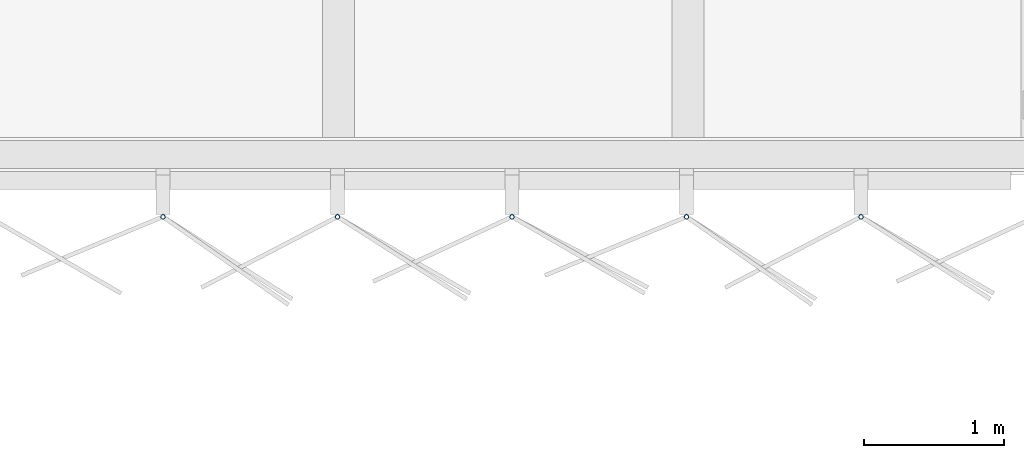
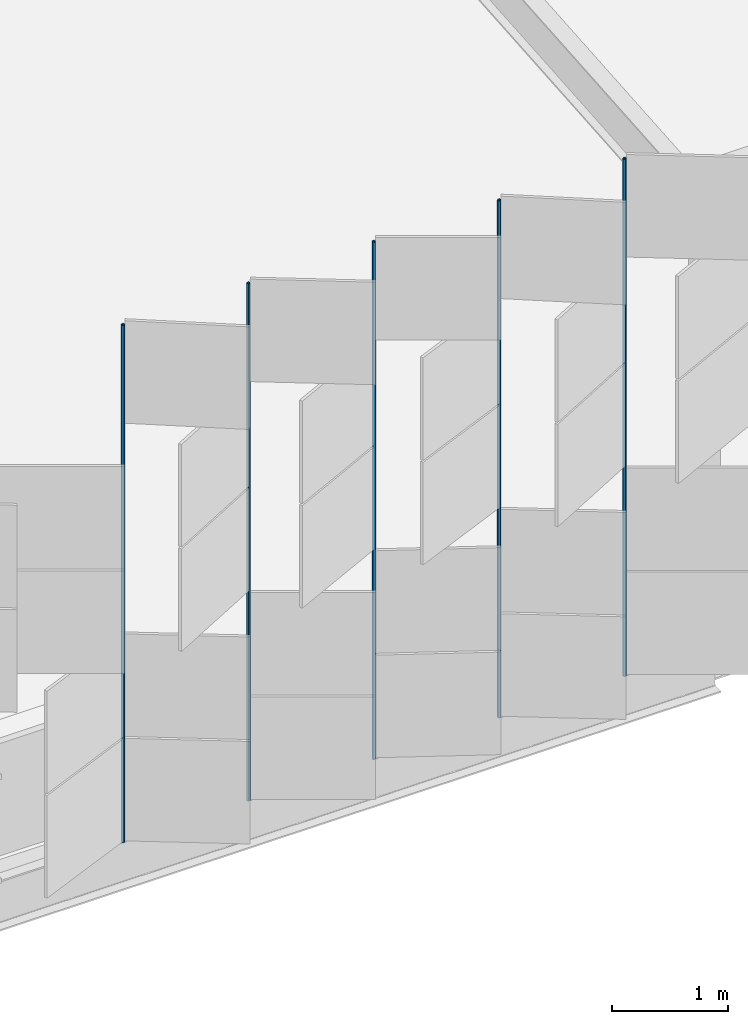
# One storey, part 144 of 483: 5 discrete accessories.
"""IFC4 building model written with IfcOpenShell, lengths in metres."""

from ifc_helpers import new_model, si_unit, direction, frame, origin, origin_2d, place, context, subcontext, project, spatial, hollow_circle, extrude, material, material_profile, profile_set, type_object, element, save


model = new_model("IFC4")

# Units and contexts
model_context = context("Model", 3, precision=1e-05, world=origin(), true_north=direction((0.0, 1.0)))
body_context = subcontext(model_context, "Body", "Model", "MODEL_VIEW")
ifc_project = project(units=[si_unit("LENGTHUNIT", "METRE"), si_unit("AREAUNIT", "SQUARE_METRE"), si_unit("VOLUMEUNIT", "CUBIC_METRE"), si_unit("PLANEANGLEUNIT", "RADIAN"), si_unit("MASSUNIT", "GRAM", prefix="KILO")], contexts=[model_context])

# Site, building, storey
site_placement = place(None, origin())
site = spatial("IfcSite", under=ifc_project, at=site_placement, CompositionType="ELEMENT")
building_placement = place(site_placement, origin())
building = spatial("IfcBuilding", under=site, at=building_placement, Name="Parallax Yard Mobility Hub", CompositionType="ELEMENT")
storey_placement = place(building_placement, frame((0.0, 0.0, 13.199951171875)))
storey = spatial("IfcBuildingStorey", under=building, at=storey_placement, Name="L04", CompositionType="ELEMENT", Elevation=13.199951171875)

# Discrete accessories
ifc_material = material(Name="Steel ASTM A500 Gr C, hot-dip galvanised", Category="steel")
ifc_material_profile = material_profile(ifc_material, hollow_circle(Radius=0.016845703125, WallThickness=0.003173828125, at=origin_2d()), Name="CHS 33.7x3.2")
ifc_profile_set = profile_set([ifc_material_profile], Name="Steel ASTM A500 Gr C, hot-dip galvanised")
discrete_accessory_type = type_object("IfcDiscreteAccessoryType", Name="Hinge post CHS 33.7x3.2", PredefinedType="BRACKET", material=ifc_profile_set)
for number, where, z_axis, x_axis, name in (
    (1, (83.7431640625, 112.199951171875, 0.0), (0.0, 0.0, 1.0), (1.0, 0.0, 0.0), "Hinge post bay 7.2 level L04"),
    (2, (84.992431640625, 112.199951171875, 0.0), (0.0, 0.0, 1.0), (1.0, 0.0, 0.0), "Hinge post bay 7.3 level L04"),
    (3, (86.24169921875, 112.199951171875, 0.0), (0.0, 0.0, 1.0), (1.0, 0.0, 0.0), "Hinge post bay 7.4 level L04"),
    (4, (87.490966796875, 112.199951171875, 0.0), (0.0, 0.0, 1.0), (1.0, 0.0, 0.0), "Hinge post bay 7.5 level L04"),
    (5, (88.739990234375, 112.199951171875, 0.0), (0.0, 0.0, 1.0), (1.0, 0.0, 0.0), "Hinge post bay 7.6 level L04"),
):
    element("IfcDiscreteAccessory", number, at=place(storey_placement, frame(where, z_axis=z_axis, x_axis=x_axis)), inside=storey, type_object=discrete_accessory_type, Name=name, PredefinedType="BRACKET", context=body_context, shape_type="SweptSolid", body=[
        extrude(hollow_circle(Radius=0.016845703125, WallThickness=0.003173828125, at=origin_2d()), origin(), (0.0, 0.0, 1.0), 5.449951171875),
    ])

save(model, "model.ifc")
